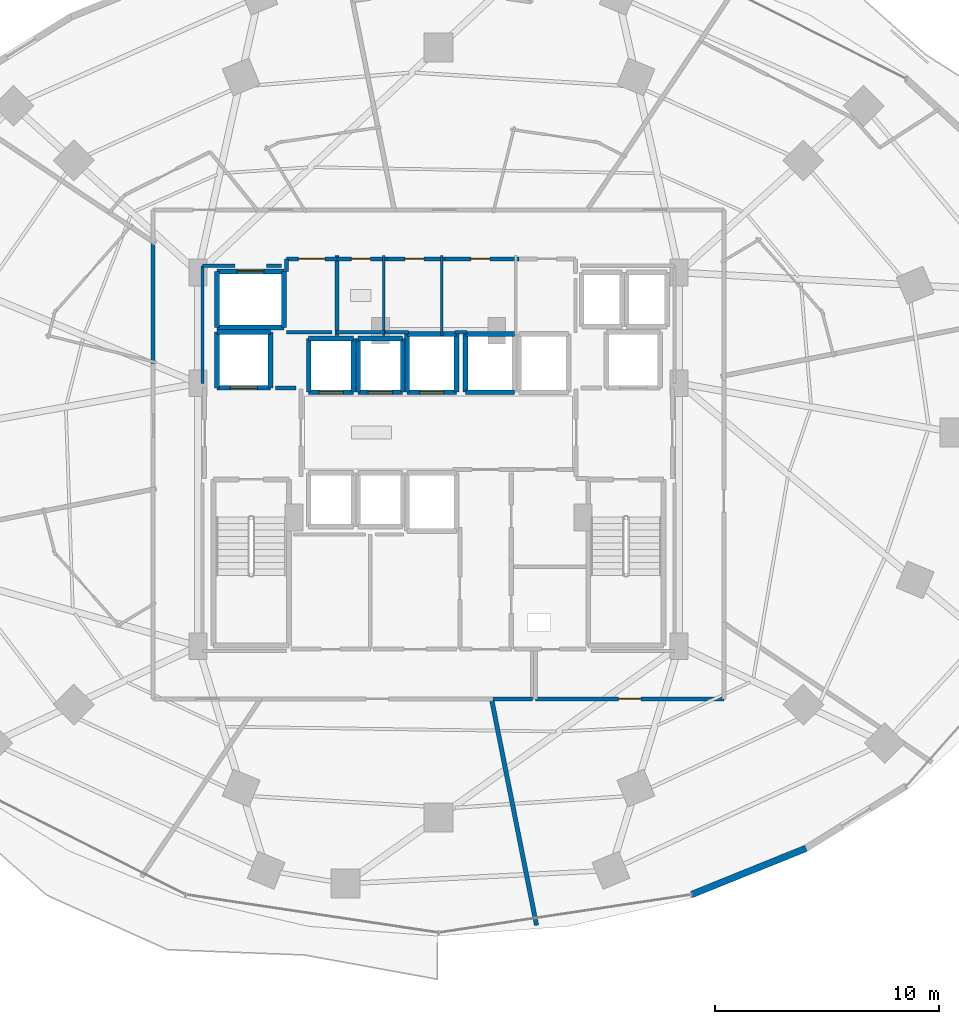
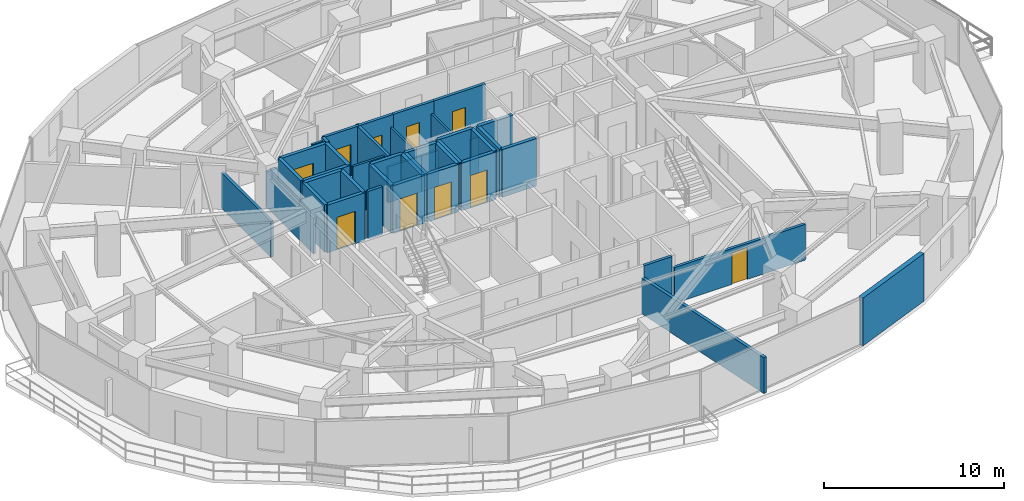
# One storey, part 24 of 30: 44 walls, 10 doors, 10 openings.
"""IFC4 building model written with IfcOpenShell, lengths in metres."""

from ifc_helpers import new_model, si_unit, direction, frame, frame_2d, origin, place, context, subcontext, project, spatial, rectangle, extrude, material, layer, layer_set, type_object, element, fill, save


model = new_model("IFC4")

# Units and contexts
model_context = context("Model", 3, precision=1e-05, world=origin(), true_north=direction((0.0, 1.0)))
body_context = subcontext(model_context, "Body", "Model", "MODEL_VIEW")
ifc_project = project(units=[si_unit("LENGTHUNIT", "METRE"), si_unit("AREAUNIT", "SQUARE_METRE"), si_unit("VOLUMEUNIT", "CUBIC_METRE"), si_unit("PLANEANGLEUNIT", "RADIAN"), si_unit("MASSUNIT", "GRAM", prefix="KILO")], contexts=[model_context])

# Site, building, storey
site_placement = place(None, origin())
site = spatial("IfcSite", under=ifc_project, at=site_placement, CompositionType="ELEMENT")
building_placement = place(site_placement, origin())
building = spatial("IfcBuilding", under=site, at=building_placement, Name="Vorneva Point Tower", CompositionType="ELEMENT")
storey_placement = place(building_placement, frame((0.0, 0.0, 41.5)))
storey = spatial("IfcBuildingStorey", under=building, at=storey_placement, Name="L10", CompositionType="ELEMENT", Elevation=41.5)

# Wall, opening, door
ifc_material_1 = material(Name="Concrete B60 (C50/60)", Category="concrete")
ifc_layer_1 = layer(ifc_material_1, 0.5)
ifc_layer_set_1 = layer_set([ifc_layer_1], Name="Concrete B60 (C50/60)")
wall_type_1 = type_object("IfcWallType", Name="WL-CORE-500", PredefinedType="SHEAR", material=ifc_layer_set_1)
wall_1_placement = place(storey_placement, frame((28.10009765625, 28.0, 0.0), z_axis=(0.0, 0.0, 1.0), x_axis=(1.0, 0.0, 0.0)))
wall_1 = element("IfcWall", 1, at=wall_1_placement, inside=storey, type_object=wall_type_1, Name="L10 Lift FFL1 Shaft Wall -Y", PredefinedType="SHEAR", context=body_context, shape_type="SweptSolid", body=[
    extrude(rectangle(XDim=2.39990234375, YDim=0.219970703125, at=frame_2d((1.199951171875, 0.0))), origin(), (0.0, 0.0, 1.0), 3.239990234375),
])
opening_1_placement = place(wall_1_placement, frame((0.60009765625, 0.0, 0.0)))
opening_1 = element("IfcOpeningElement", 2, at=opening_1_placement, cuts=wall_1, Name="Opening LD-02", PredefinedType="OPENING", context=body_context, shape_type="SweptSolid", body=[
    extrude(rectangle(XDim=1.199951171875, YDim=2.199951171875, at=frame_2d((0.60009765625, 1.10009765625))), frame((0.0, 0.125, 0.0), z_axis=(0.0, -1.0, 0.0), x_axis=(1.0, 0.0, 0.0)), (0.0, 0.0, 1.0), 0.249755859375),
])
ifc_material_2 = material(Name="Brushed stainless steel S304", Category="steel")
door_type_1 = type_object("IfcDoorType", Name="LD-FIRE-1200", OperationType="SLIDING_TO_LEFT", PredefinedType="DOOR", material=ifc_material_2)
door_1_placement = place(opening_1_placement, origin())
door_1 = element("IfcDoor", 3, at=door_1_placement, inside=storey, type_object=door_type_1, Name="L10 Lift FFL1 Sliding Landing Door", OperationType="SLIDING_TO_LEFT", OverallHeight=2.199951171875, OverallWidth=1.199951171875, PredefinedType="DOOR", context=body_context, shape_type="SweptSolid", body=[
    extrude(rectangle(XDim=1.199951171875, YDim=2.199951171875, at=frame_2d((0.60009765625, 1.10009765625))), frame((0.0, 0.02490234375, 0.0), z_axis=(0.0, -1.0, 0.0), x_axis=(1.0, 0.0, 0.0)), (0.0, 0.0, 1.0), 0.050048828125),
])
fill(opening_1, door_1)

# Walls
wall_2_placement = place(storey_placement, frame((30.5, 28.0, 0.0), z_axis=(0.0, 0.0, 1.0), x_axis=(0.0, 1.0, 0.0)))
element("IfcWall", 4, at=wall_2_placement, inside=storey, type_object=wall_type_1, Name="L10 Lift FFL1 Shaft Wall +X", PredefinedType="SHEAR", context=body_context, shape_type="SweptSolid", body=[
    extrude(rectangle(XDim=2.5, YDim=0.219970703125, at=frame_2d((1.25, 0.0))), origin(), (0.0, 0.0, 1.0), 3.239990234375),
])
wall_3_placement = place(storey_placement, frame((30.5, 30.5, 0.0), z_axis=(0.0, 0.0, 1.0), x_axis=(-1.0, 0.0, 0.0)))
element("IfcWall", 5, at=wall_3_placement, inside=storey, type_object=wall_type_1, Name="L10 Lift FFL1 Shaft Wall +Y", PredefinedType="SHEAR", context=body_context, shape_type="SweptSolid", body=[
    extrude(rectangle(XDim=2.39990234375, YDim=0.219970703125, at=frame_2d((1.199951171875, 0.0))), origin(), (0.0, 0.0, 1.0), 3.239990234375),
])
wall_4_placement = place(storey_placement, frame((28.10009765625, 30.5, 0.0), z_axis=(0.0, 0.0, 1.0), x_axis=(0.0, -1.0, 0.0)))
element("IfcWall", 6, at=wall_4_placement, inside=storey, type_object=wall_type_1, Name="L10 Lift FFL1 Shaft Wall -X", PredefinedType="SHEAR", context=body_context, shape_type="SweptSolid", body=[
    extrude(rectangle(XDim=2.5, YDim=0.219970703125, at=frame_2d((1.25, 0.0))), origin(), (0.0, 0.0, 1.0), 3.239990234375),
])
ifc_material_3 = material(Name="Precast concrete B50 (C40/50)", Category="concrete")
ifc_layer_2 = layer(ifc_material_3, 0.300048828125)
ifc_layer_set_2 = layer_set([ifc_layer_2], Name="Precast concrete B50 (C40/50)")
wall_type_2 = type_object("IfcWallType", Name="WL-EXT-300", PredefinedType="STANDARD", material=ifc_layer_set_2)
wall_5_placement = place(storey_placement, frame((49.308349609375, 5.351318359375, 0.0), z_axis=(0.0, 0.0, 1.0), x_axis=(0.927095325176, 0.374825636845, 0.0)))
element("IfcWall", 7, at=wall_5_placement, inside=storey, type_object=wall_type_2, Name="L10 Pale-Metal Facade Spandrel Wall 14.1", PredefinedType="STANDARD", context=body_context, shape_type="SweptSolid", body=[
    extrude(rectangle(XDim=5.51025390625, YDim=0.300048828125, at=frame_2d((2.755126953125, 0.0))), origin(), (0.0, 0.0, 1.0), 3.239990234375),
])
ifc_material_4 = material(Name="Fire-rated acoustic gypsum stud partition", Category="gypsum")
ifc_layer_3 = layer(ifc_material_4, 0.110107421875)
ifc_layer_set_3 = layer_set([ifc_layer_3], Name="Fire-rated acoustic gypsum stud partition")
wall_type_3 = type_object("IfcWallType", Name="WL-PART-110", PredefinedType="PARTITIONING", material=ifc_layer_set_3)
for number, where, z_axis, x_axis, name in (
    (8, (35.550048828125, 30.340087890625, 0.0), (0.0, 0.0, 1.0), (0.0, 1.0, 0.0), "L10 Interior Partition 017"),
    (9, (38.14990234375, 30.340087890625, 0.0), (0.0, 0.0, 1.0), (0.0, 1.0, 0.0), "L10 Interior Partition 019"),
):
    element("IfcWall", number, at=place(storey_placement, frame(where, z_axis=z_axis, x_axis=x_axis)), inside=storey, type_object=wall_type_3, Name=name, PredefinedType="PARTITIONING", context=body_context, shape_type="SweptSolid", body=[
        extrude(rectangle(XDim=3.559814453125, YDim=0.110107421875, at=frame_2d((1.77978515625, 0.0))), origin(), (0.0, 0.0, 1.0), 2.431884765625),
    ])
ifc_layer_4 = layer(ifc_material_4, 0.139892578125)
ifc_layer_set_4 = layer_set([ifc_layer_4], Name="Fire-rated acoustic gypsum stud partition")
wall_type_4 = type_object("IfcWallType", Name="WL-PART-140", PredefinedType="PARTITIONING", material=ifc_layer_set_4)
wall_6_placement = place(storey_placement, frame((31.199951171875, 30.47998046875, 0.0), z_axis=(0.0, 0.0, 1.0), x_axis=(1.0, 0.0, 0.0)))
element("IfcWall", 10, at=wall_6_placement, inside=storey, type_object=wall_type_4, Name="L10 Interior Closure Partition 094", PredefinedType="PARTITIONING", context=body_context, shape_type="SweptSolid", body=[
    extrude(rectangle(XDim=2.050048828125, YDim=0.139892578125, at=frame_2d((1.02490234375, 0.0))), origin(), (0.0, 0.0, 1.0), 3.239990234375),
])
wall_7_placement = place(storey_placement, frame((33.43994140625, 30.47998046875, 0.0), z_axis=(0.0, 0.0, 1.0), x_axis=(1.0, 0.0, 0.0)))
element("IfcWall", 11, at=wall_7_placement, inside=storey, type_object=wall_type_4, Name="L10 Interior Closure Partition 095", PredefinedType="PARTITIONING", context=body_context, shape_type="SweptSolid", body=[
    extrude(rectangle(XDim=2.14013671875, YDim=0.139892578125, at=frame_2d((1.070068359375, 0.0))), origin(), (0.0, 0.0, 1.0), 2.431884765625),
])
wall_8_placement = place(storey_placement, frame((35.60009765625, 30.47998046875, 0.0), z_axis=(0.0, 0.0, 1.0), x_axis=(1.0, 0.0, 0.0)))
element("IfcWall", 12, at=wall_8_placement, inside=storey, type_object=wall_type_4, Name="L10 Interior Closure Partition 096", PredefinedType="PARTITIONING", context=body_context, shape_type="SweptSolid", body=[
    extrude(rectangle(XDim=1.06494140625, YDim=0.139892578125, at=frame_2d((0.532470703125, 0.0))), origin(), (0.0, 0.0, 1.0), 2.431884765625),
])
wall_9_placement = place(storey_placement, frame((38.735107421875, 30.47998046875, 0.0), z_axis=(0.0, 0.0, 1.0), x_axis=(1.0, 0.0, 0.0)))
element("IfcWall", 13, at=wall_9_placement, inside=storey, type_object=wall_type_4, Name="L10 Interior Closure Partition 097", PredefinedType="PARTITIONING", context=body_context, shape_type="SweptSolid", body=[
    extrude(rectangle(XDim=0.52978515625, YDim=0.139892578125, at=frame_2d((0.264892578125, 0.0))), origin(), (0.0, 0.0, 1.0), 2.431884765625),
])
wall_10_placement = place(storey_placement, frame((27.449951171875, 28.196044921875, 0.0), z_axis=(0.0, 0.0, 1.0), x_axis=(0.0, 1.0, 0.0)))
element("IfcWall", 14, at=wall_10_placement, inside=storey, type_object=wall_type_4, Name="L10 Interior Closure Partition 107", PredefinedType="PARTITIONING", context=body_context, shape_type="SweptSolid", body=[
    extrude(rectangle(XDim=5.25390625, YDim=0.139892578125, at=frame_2d((2.626953125, 0.0))), origin(), (0.0, 0.0, 1.0), 2.431884765625),
])
wall_11_placement = place(storey_placement, frame((27.449951171875, 33.449951171875, 0.0), z_axis=(0.0, 0.0, 1.0), x_axis=(1.0, 0.0, 0.0)))
element("IfcWall", 15, at=wall_11_placement, inside=storey, type_object=wall_type_4, Name="L10 Interior Closure Partition 108", PredefinedType="PARTITIONING", context=body_context, shape_type="SweptSolid", body=[
    extrude(rectangle(XDim=1.444091796875, YDim=0.139892578125, at=frame_2d((0.72216796875, 0.0))), origin(), (0.0, 0.0, 1.0), 2.431884765625),
])
wall_12_placement = place(storey_placement, frame((30.305908203125, 33.449951171875, 0.0), z_axis=(0.0, 0.0, 1.0), x_axis=(1.0, 0.0, 0.0)))
element("IfcWall", 16, at=wall_12_placement, inside=storey, type_object=wall_type_4, Name="L10 Interior Closure Partition 109", PredefinedType="PARTITIONING", context=body_context, shape_type="SweptSolid", body=[
    extrude(rectangle(XDim=0.674072265625, YDim=0.139892578125, at=frame_2d((0.3369140625, 0.0))), origin(), (0.0, 0.0, 1.0), 3.239990234375),
])
ifc_material_5 = material(Name="Autoclaved aerated concrete blockwork", Category="masonry")
ifc_layer_5 = layer(ifc_material_5, 0.179931640625)
ifc_layer_set_5 = layer_set([ifc_layer_5], Name="Autoclaved aerated concrete blockwork")
wall_type_5 = type_object("IfcWallType", Name="WL-PART-180", PredefinedType="PARTITIONING", material=ifc_layer_set_5)
wall_13_placement = place(storey_placement, frame((33.469970703125, 30.340087890625, 0.0), z_axis=(0.0, 0.0, 1.0), x_axis=(0.0, 1.0, 0.0)))
element("IfcWall", 17, at=wall_13_placement, inside=storey, type_object=wall_type_5, Name="L10 Interior Partition 006", PredefinedType="PARTITIONING", context=body_context, shape_type="SweptSolid", body=[
    extrude(rectangle(XDim=3.559814453125, YDim=0.179931640625, at=frame_2d((1.77978515625, 0.0))), origin(), (0.0, 0.0, 1.0), 3.239990234375),
])

# Wall, opening, door
wall_14_placement = place(storey_placement, frame((33.469970703125, 33.760009765625, 0.0), z_axis=(0.0, 0.0, 1.0), x_axis=(-1.0, 0.0, 0.0)))
wall_14 = element("IfcWall", 18, at=wall_14_placement, inside=storey, type_object=wall_type_5, Name="L10 Interior Partition 007", PredefinedType="PARTITIONING", context=body_context, shape_type="SweptSolid", body=[
    extrude(rectangle(XDim=2.27001953125, YDim=0.179931640625, at=frame_2d((1.135009765625, 0.0))), origin(), (0.0, 0.0, 1.0), 3.239990234375),
])
opening_2_placement = place(wall_14_placement, frame((0.534912109375, 0.0, 0.0)))
opening_2 = element("IfcOpeningElement", 19, at=opening_2_placement, cuts=wall_14, Name="Opening FD-02", PredefinedType="OPENING", context=body_context, shape_type="SweptSolid", body=[
    extrude(rectangle(XDim=1.199951171875, YDim=2.14990234375, at=frame_2d((0.60009765625, 1.074951171875))), frame((0.0, 0.10498046875, 0.0), z_axis=(0.0, -1.0, 0.0), x_axis=(1.0, 0.0, 0.0)), (0.0, 0.0, 1.0), 0.209716796875),
])
ifc_material_6 = material(Name="Fire-rated powder-coated steel", Category="steel")
door_type_2 = type_object("IfcDoorType", Name="DR-FFL-1200", OperationType="NOTDEFINED", PredefinedType="DOOR", material=ifc_material_6)
door_2_placement = place(opening_2_placement, origin())
door_2 = element("IfcDoor", 20, at=door_2_placement, inside=storey, type_object=door_type_2, Name="L10 Door Service Lift Lobby / L10 Circulation Corridor", OperationType="SINGLE_SWING_RIGHT", OverallHeight=2.14990234375, OverallWidth=1.199951171875, PredefinedType="DOOR", context=body_context, shape_type="SweptSolid", body=[
    extrude(rectangle(XDim=1.199951171875, YDim=2.14990234375, at=frame_2d((0.60009765625, 1.074951171875))), frame((0.0, 0.02490234375, 0.0), z_axis=(0.0, -1.0, 0.0), x_axis=(1.0, 0.0, 0.0)), (0.0, 0.0, 1.0), 0.050048828125),
])
fill(opening_2, door_2)

# Wall
wall_15_placement = place(storey_placement, frame((31.199951171875, 33.760009765625, 0.0), z_axis=(0.0, 0.0, 1.0), x_axis=(0.0, -1.0, 0.0)))
element("IfcWall", 21, at=wall_15_placement, inside=storey, type_object=wall_type_5, Name="L10 Interior Partition 008", PredefinedType="PARTITIONING", context=body_context, shape_type="SweptSolid", body=[
    extrude(rectangle(XDim=0.56005859375, YDim=0.179931640625, at=frame_2d((0.280029296875, 0.0))), origin(), (0.0, 0.0, 1.0), 3.239990234375),
])

# Wall, opening, door
wall_16_placement = place(storey_placement, frame((35.68994140625, 33.760009765625, 0.0), z_axis=(0.0, 0.0, 1.0), x_axis=(-1.0, 0.0, 0.0)))
wall_16 = element("IfcWall", 22, at=wall_16_placement, inside=storey, type_object=wall_type_5, Name="L10 Interior Partition 018", PredefinedType="PARTITIONING", context=body_context, shape_type="SweptSolid", body=[
    extrude(rectangle(XDim=2.329833984375, YDim=0.179931640625, at=frame_2d((1.1650390625, 0.0))), origin(), (0.0, 0.0, 1.0), 3.239990234375),
])
opening_3_placement = place(wall_16_placement, frame((0.739990234375, 0.0, 0.0)))
opening_3 = element("IfcOpeningElement", 23, at=opening_3_placement, cuts=wall_16, Name="Opening ID-02", PredefinedType="OPENING", context=body_context, shape_type="SweptSolid", body=[
    extrude(rectangle(XDim=0.85009765625, YDim=2.10009765625, at=frame_2d((0.425048828125, 1.050048828125))), frame((0.0, 0.10498046875, 0.0), z_axis=(0.0, -1.0, 0.0), x_axis=(1.0, 0.0, 0.0)), (0.0, 0.0, 1.0), 0.209716796875),
])
ifc_material_7 = material(Name="Engineered oak fire-rated door leaf", Category="wood")
door_type_3 = type_object("IfcDoorType", Name="DR-BATH-850", OperationType="NOTDEFINED", PredefinedType="DOOR", material=ifc_material_7)
door_3_placement = place(opening_3_placement, origin())
door_3 = element("IfcDoor", 24, at=door_3_placement, inside=storey, type_object=door_type_3, Name="L10 Door Accessible WC / L10 Circulation Corridor", OperationType="SINGLE_SWING_RIGHT", OverallHeight=2.10009765625, OverallWidth=0.85009765625, PredefinedType="DOOR", context=body_context, shape_type="SweptSolid", body=[
    extrude(rectangle(XDim=0.85009765625, YDim=2.10009765625, at=frame_2d((0.425048828125, 1.050048828125))), frame((0.0, 0.02490234375, 0.0), z_axis=(0.0, -1.0, 0.0), x_axis=(1.0, 0.0, 0.0)), (0.0, 0.0, 1.0), 0.050048828125),
])
fill(opening_3, door_3)

wall_17_placement = place(storey_placement, frame((38.2900390625, 33.760009765625, 0.0), z_axis=(0.0, 0.0, 1.0), x_axis=(-1.0, 0.0, 0.0)))
wall_17 = element("IfcWall", 25, at=wall_17_placement, inside=storey, type_object=wall_type_5, Name="L10 Interior Partition 020", PredefinedType="PARTITIONING", context=body_context, shape_type="SweptSolid", body=[
    extrude(rectangle(XDim=2.739990234375, YDim=0.179931640625, at=frame_2d((1.3701171875, 0.0))), origin(), (0.0, 0.0, 1.0), 3.239990234375),
])
opening_4_placement = place(wall_17_placement, frame((0.945068359375, 0.0, 0.0)))
opening_4 = element("IfcOpeningElement", 26, at=opening_4_placement, cuts=wall_17, Name="Opening ID-02", PredefinedType="OPENING", context=body_context, shape_type="SweptSolid", body=[
    extrude(rectangle(XDim=0.85009765625, YDim=2.10009765625, at=frame_2d((0.425048828125, 1.050048828125))), frame((0.0, 0.10498046875, 0.0), z_axis=(0.0, -1.0, 0.0), x_axis=(1.0, 0.0, 0.0)), (0.0, 0.0, 1.0), 0.209716796875),
])
door_4_placement = place(opening_4_placement, origin())
door_4 = element("IfcDoor", 27, at=door_4_placement, inside=storey, type_object=door_type_3, Name="L10 Door Public Male WC / L10 Circulation Corridor", OperationType="SINGLE_SWING_LEFT", OverallHeight=2.10009765625, OverallWidth=0.85009765625, PredefinedType="DOOR", context=body_context, shape_type="SweptSolid", body=[
    extrude(rectangle(XDim=0.85009765625, YDim=2.10009765625, at=frame_2d((0.425048828125, 1.050048828125))), frame((0.0, 0.02490234375, 0.0), z_axis=(0.0, -1.0, 0.0), x_axis=(1.0, 0.0, 0.0)), (0.0, 0.0, 1.0), 0.050048828125),
])
fill(opening_4, door_4)

wall_18_placement = place(storey_placement, frame((41.590087890625, 33.760009765625, 0.0), z_axis=(0.0, 0.0, 1.0), x_axis=(-1.0, 0.0, 0.0)))
wall_18 = element("IfcWall", 28, at=wall_18_placement, inside=storey, type_object=wall_type_5, Name="L10 Interior Partition 022", PredefinedType="PARTITIONING", context=body_context, shape_type="SweptSolid", body=[
    extrude(rectangle(XDim=3.440185546875, YDim=0.179931640625, at=frame_2d((1.72021484375, 0.0))), origin(), (0.0, 0.0, 1.0), 3.239990234375),
])
opening_5_placement = place(wall_18_placement, frame((1.294921875, 0.0, 0.0)))
opening_5 = element("IfcOpeningElement", 29, at=opening_5_placement, cuts=wall_18, Name="Opening ID-02", PredefinedType="OPENING", context=body_context, shape_type="SweptSolid", body=[
    extrude(rectangle(XDim=0.85009765625, YDim=2.10009765625, at=frame_2d((0.425048828125, 1.050048828125))), frame((0.0, 0.10498046875, 0.0), z_axis=(0.0, -1.0, 0.0), x_axis=(1.0, 0.0, 0.0)), (0.0, 0.0, 1.0), 0.209716796875),
])
door_5_placement = place(opening_5_placement, origin())
door_5 = element("IfcDoor", 30, at=door_5_placement, inside=storey, type_object=door_type_3, Name="L10 Door Public Female WC / L10 Circulation Corridor", OperationType="SINGLE_SWING_RIGHT", OverallHeight=2.10009765625, OverallWidth=0.85009765625, PredefinedType="DOOR", context=body_context, shape_type="SweptSolid", body=[
    extrude(rectangle(XDim=0.85009765625, YDim=2.10009765625, at=frame_2d((0.425048828125, 1.050048828125))), frame((0.0, 0.02490234375, 0.0), z_axis=(0.0, -1.0, 0.0), x_axis=(1.0, 0.0, 0.0)), (0.0, 0.0, 1.0), 0.050048828125),
])
fill(opening_5, door_5)

# Wall
wall_19_placement = place(storey_placement, frame((25.25, 34.59912109375, 0.0), z_axis=(0.0, 0.0, 1.0), x_axis=(0.0, -1.0, 0.0)))
element("IfcWall", 31, at=wall_19_placement, inside=storey, type_object=wall_type_5, Name="L10 Interior Partition 038", PredefinedType="PARTITIONING", context=body_context, shape_type="SweptSolid", body=[
    extrude(rectangle(XDim=5.510009765625, YDim=0.179931640625, at=frame_2d((2.7548828125, 0.0))), origin(), (0.0, 0.0, 1.0), 2.431884765625),
])

# Wall, opening, door
wall_20_placement = place(storey_placement, frame((42.340087890625, 14.10009765625, 0.0), z_axis=(0.0, 0.0, 1.0), x_axis=(1.0, 0.0, 0.0)))
wall_20 = element("IfcWall", 32, at=wall_20_placement, inside=storey, type_object=wall_type_5, Name="L10 Interior Partition 044", PredefinedType="PARTITIONING", context=body_context, shape_type="SweptSolid", body=[
    extrude(rectangle(XDim=8.409912109375, YDim=0.179931640625, at=frame_2d((4.205078125, 0.0))), origin(), (0.0, 0.0, 1.0), 2.431884765625),
])
opening_6_placement = place(wall_20_placement, frame((3.705078125, 0.0, 0.0)))
opening_6 = element("IfcOpeningElement", 33, at=opening_6_placement, cuts=wall_20, Name="Opening UD-01", PredefinedType="OPENING", context=body_context, shape_type="SweptSolid", body=[
    extrude(rectangle(XDim=1.0, YDim=2.14990234375, at=frame_2d((0.5, 1.074951171875))), frame((0.0, 0.10498046875, 0.0), z_axis=(0.0, -1.0, 0.0), x_axis=(1.0, 0.0, 0.0)), (0.0, 0.0, 1.0), 0.209716796875),
])
door_type_4 = type_object("IfcDoorType", Name="DR-UNIT-1000", OperationType="NOTDEFINED", PredefinedType="DOOR", material=ifc_material_7)
door_6_placement = place(opening_6_placement, origin())
door_6 = element("IfcDoor", 34, at=door_6_placement, inside=storey, type_object=door_type_4, Name="L10 Door L10 Circulation Corridor / Executive Meeting Room L10-07", OperationType="SINGLE_SWING_LEFT", OverallHeight=2.14990234375, OverallWidth=1.0, PredefinedType="DOOR", context=body_context, shape_type="SweptSolid", body=[
    extrude(rectangle(XDim=1.0, YDim=2.14990234375, at=frame_2d((0.5, 1.074951171875))), frame((0.0, 0.02490234375, 0.0), z_axis=(0.0, -1.0, 0.0), x_axis=(1.0, 0.0, 0.0)), (0.0, 0.0, 1.0), 0.050048828125),
])
fill(opening_6, door_6)

# Walls
wall_21_placement = place(storey_placement, frame((40.427978515625, 14.10009765625, 0.0), z_axis=(0.0, 0.0, 1.0), x_axis=(1.0, 0.0, 0.0)))
element("IfcWall", 35, at=wall_21_placement, inside=storey, type_object=wall_type_5, Name="L10 Interior Partition 046", PredefinedType="PARTITIONING", context=body_context, shape_type="SweptSolid", body=[
    extrude(rectangle(XDim=1.77197265625, YDim=0.179931640625, at=frame_2d((0.885986328125, 0.0))), origin(), (0.0, 0.0, 1.0), 3.239990234375),
])
wall_22_placement = place(storey_placement, frame((31.635009765625, 28.0, 0.0), z_axis=(0.0, 0.0, 1.0), x_axis=(-1.0, 0.0, 0.0)))
element("IfcWall", 36, at=wall_22_placement, inside=storey, type_object=wall_type_5, Name="L10 Interior Closure Partition 092", PredefinedType="PARTITIONING", context=body_context, shape_type="SweptSolid", body=[
    extrude(rectangle(XDim=0.9150390625, YDim=0.179931640625, at=frame_2d((0.45751953125, 0.0))), origin(), (0.0, 0.0, 1.0), 3.239990234375),
])
ifc_layer_6 = layer(ifc_material_5, 0.199951171875)
ifc_layer_set_6 = layer_set([ifc_layer_6], Name="Autoclaved aerated concrete blockwork")
wall_type_6 = type_object("IfcWallType", Name="WL-PART-200", PredefinedType="PARTITIONING", material=ifc_layer_set_6)
wall_23_placement = place(storey_placement, frame((42.381103515625, 3.97705078125, 0.0), z_axis=(0.0, 0.0, 1.0), x_axis=(-0.195142599893, 0.980774880239, 0.0)))
element("IfcWall", 37, at=wall_23_placement, inside=storey, type_object=wall_type_6, Name="L10 Interior Partition 090", PredefinedType="PARTITIONING", context=body_context, shape_type="SweptSolid", body=[
    extrude(rectangle(XDim=10.321533203125, YDim=0.199951171875, at=frame_2d((5.16064453125, 0.0))), origin(), (0.0, 0.0, 1.0), 2.431884765625),
])

# Wall, opening, door
ifc_material_8 = material(Name="Concrete B50 (C40/50)", Category="concrete")
ifc_layer_7 = layer(ifc_material_8, 0.219970703125)
ifc_layer_set_7 = layer_set([ifc_layer_7], Name="Concrete B50 (C40/50)")
wall_type_7 = type_object("IfcWallType", Name="WL-SHFT-220", PredefinedType="SOLIDWALL", material=ifc_layer_set_7)
wall_24_placement = place(storey_placement, frame((32.199951171875, 27.800048828125, 0.0), z_axis=(0.0, 0.0, 1.0), x_axis=(1.0, 0.0, 0.0)))
wall_24 = element("IfcWall", 38, at=wall_24_placement, inside=storey, type_object=wall_type_7, Name="L10 Lift PL1 Shaft Wall -Y", PredefinedType="SOLIDWALL", context=body_context, shape_type="SweptSolid", body=[
    extrude(rectangle(XDim=2.0, YDim=0.219970703125, at=frame_2d((1.0, 0.0))), origin(), (0.0, 0.0, 1.0), 3.239990234375),
])
opening_7_placement = place(wall_24_placement, frame((0.449951171875, 0.0, 0.0)))
opening_7 = element("IfcOpeningElement", 39, at=opening_7_placement, cuts=wall_24, Name="Opening LD-01", PredefinedType="OPENING", context=body_context, shape_type="SweptSolid", body=[
    extrude(rectangle(XDim=1.10009765625, YDim=2.199951171875, at=frame_2d((0.550048828125, 1.10009765625))), frame((0.0, 0.125, 0.0), z_axis=(0.0, -1.0, 0.0), x_axis=(1.0, 0.0, 0.0)), (0.0, 0.0, 1.0), 0.249755859375),
])
door_type_5 = type_object("IfcDoorType", Name="LD-PASS-1100", OperationType="SLIDING_TO_LEFT", PredefinedType="DOOR", material=ifc_material_2)
door_7_placement = place(opening_7_placement, origin())
door_7 = element("IfcDoor", 40, at=door_7_placement, inside=storey, type_object=door_type_5, Name="L10 Lift PL1 Sliding Landing Door", OperationType="SLIDING_TO_LEFT", OverallHeight=2.199951171875, OverallWidth=1.10009765625, PredefinedType="DOOR", context=body_context, shape_type="SweptSolid", body=[
    extrude(rectangle(XDim=1.10009765625, YDim=2.199951171875, at=frame_2d((0.550048828125, 1.10009765625))), frame((0.0, 0.02490234375, 0.0), z_axis=(0.0, -1.0, 0.0), x_axis=(1.0, 0.0, 0.0)), (0.0, 0.0, 1.0), 0.050048828125),
])
fill(opening_7, door_7)

# Walls
wall_25_placement = place(storey_placement, frame((34.199951171875, 27.800048828125, 0.0), z_axis=(0.0, 0.0, 1.0), x_axis=(0.0, 1.0, 0.0)))
element("IfcWall", 41, at=wall_25_placement, inside=storey, type_object=wall_type_7, Name="L10 Lift PL1 Shaft Wall +X", PredefinedType="SOLIDWALL", context=body_context, shape_type="SweptSolid", body=[
    extrude(rectangle(XDim=2.39990234375, YDim=0.219970703125, at=frame_2d((1.199951171875, 0.0))), origin(), (0.0, 0.0, 1.0), 3.239990234375),
])
wall_26_placement = place(storey_placement, frame((34.199951171875, 30.199951171875, 0.0), z_axis=(0.0, 0.0, 1.0), x_axis=(-1.0, 0.0, 0.0)))
element("IfcWall", 42, at=wall_26_placement, inside=storey, type_object=wall_type_7, Name="L10 Lift PL1 Shaft Wall +Y", PredefinedType="SOLIDWALL", context=body_context, shape_type="SweptSolid", body=[
    extrude(rectangle(XDim=2.0, YDim=0.219970703125, at=frame_2d((1.0, 0.0))), origin(), (0.0, 0.0, 1.0), 3.239990234375),
])
wall_27_placement = place(storey_placement, frame((32.199951171875, 30.199951171875, 0.0), z_axis=(0.0, 0.0, 1.0), x_axis=(0.0, -1.0, 0.0)))
element("IfcWall", 43, at=wall_27_placement, inside=storey, type_object=wall_type_7, Name="L10 Lift PL1 Shaft Wall -X", PredefinedType="SOLIDWALL", context=body_context, shape_type="SweptSolid", body=[
    extrude(rectangle(XDim=2.39990234375, YDim=0.219970703125, at=frame_2d((1.199951171875, 0.0))), origin(), (0.0, 0.0, 1.0), 3.239990234375),
])

# Wall, opening, door
wall_28_placement = place(storey_placement, frame((34.39990234375, 27.800048828125, 0.0), z_axis=(0.0, 0.0, 1.0), x_axis=(1.0, 0.0, 0.0)))
wall_28 = element("IfcWall", 44, at=wall_28_placement, inside=storey, type_object=wall_type_7, Name="L10 Lift PL2 Shaft Wall -Y", PredefinedType="SOLIDWALL", context=body_context, shape_type="SweptSolid", body=[
    extrude(rectangle(XDim=2.0, YDim=0.219970703125, at=frame_2d((1.0, 0.0))), origin(), (0.0, 0.0, 1.0), 3.239990234375),
])
opening_8_placement = place(wall_28_placement, frame((0.449951171875, 0.0, 0.0)))
opening_8 = element("IfcOpeningElement", 45, at=opening_8_placement, cuts=wall_28, Name="Opening LD-01", PredefinedType="OPENING", context=body_context, shape_type="SweptSolid", body=[
    extrude(rectangle(XDim=1.10009765625, YDim=2.199951171875, at=frame_2d((0.550048828125, 1.10009765625))), frame((0.0, 0.125, 0.0), z_axis=(0.0, -1.0, 0.0), x_axis=(1.0, 0.0, 0.0)), (0.0, 0.0, 1.0), 0.249755859375),
])
door_8_placement = place(opening_8_placement, origin())
door_8 = element("IfcDoor", 46, at=door_8_placement, inside=storey, type_object=door_type_5, Name="L10 Lift PL2 Sliding Landing Door", OperationType="SLIDING_TO_LEFT", OverallHeight=2.199951171875, OverallWidth=1.10009765625, PredefinedType="DOOR", context=body_context, shape_type="SweptSolid", body=[
    extrude(rectangle(XDim=1.10009765625, YDim=2.199951171875, at=frame_2d((0.550048828125, 1.10009765625))), frame((0.0, 0.02490234375, 0.0), z_axis=(0.0, -1.0, 0.0), x_axis=(1.0, 0.0, 0.0)), (0.0, 0.0, 1.0), 0.050048828125),
])
fill(opening_8, door_8)

# Walls
wall_29_placement = place(storey_placement, frame((36.39990234375, 27.800048828125, 0.0), z_axis=(0.0, 0.0, 1.0), x_axis=(0.0, 1.0, 0.0)))
element("IfcWall", 47, at=wall_29_placement, inside=storey, type_object=wall_type_7, Name="L10 Lift PL2 Shaft Wall +X", PredefinedType="SOLIDWALL", context=body_context, shape_type="SweptSolid", body=[
    extrude(rectangle(XDim=2.39990234375, YDim=0.219970703125, at=frame_2d((1.199951171875, 0.0))), origin(), (0.0, 0.0, 1.0), 3.239990234375),
])
wall_30_placement = place(storey_placement, frame((36.39990234375, 30.199951171875, 0.0), z_axis=(0.0, 0.0, 1.0), x_axis=(-1.0, 0.0, 0.0)))
element("IfcWall", 48, at=wall_30_placement, inside=storey, type_object=wall_type_7, Name="L10 Lift PL2 Shaft Wall +Y", PredefinedType="SOLIDWALL", context=body_context, shape_type="SweptSolid", body=[
    extrude(rectangle(XDim=2.0, YDim=0.219970703125, at=frame_2d((1.0, 0.0))), origin(), (0.0, 0.0, 1.0), 3.239990234375),
])
wall_31_placement = place(storey_placement, frame((34.39990234375, 30.199951171875, 0.0), z_axis=(0.0, 0.0, 1.0), x_axis=(0.0, -1.0, 0.0)))
element("IfcWall", 49, at=wall_31_placement, inside=storey, type_object=wall_type_7, Name="L10 Lift PL2 Shaft Wall -X", PredefinedType="SOLIDWALL", context=body_context, shape_type="SweptSolid", body=[
    extrude(rectangle(XDim=2.39990234375, YDim=0.219970703125, at=frame_2d((1.199951171875, 0.0))), origin(), (0.0, 0.0, 1.0), 3.239990234375),
])

# Wall, opening, door
wall_32_placement = place(storey_placement, frame((36.60009765625, 27.800048828125, 0.0), z_axis=(0.0, 0.0, 1.0), x_axis=(1.0, 0.0, 0.0)))
wall_32 = element("IfcWall", 50, at=wall_32_placement, inside=storey, type_object=wall_type_7, Name="L10 Lift PL3 Shaft Wall -Y", PredefinedType="SOLIDWALL", context=body_context, shape_type="SweptSolid", body=[
    extrude(rectangle(XDim=2.199951171875, YDim=0.219970703125, at=frame_2d((1.10009765625, 0.0))), origin(), (0.0, 0.0, 1.0), 3.239990234375),
])
opening_9_placement = place(wall_32_placement, frame((0.550048828125, 0.0, 0.0)))
opening_9 = element("IfcOpeningElement", 51, at=opening_9_placement, cuts=wall_32, Name="Opening LD-01", PredefinedType="OPENING", context=body_context, shape_type="SweptSolid", body=[
    extrude(rectangle(XDim=1.10009765625, YDim=2.199951171875, at=frame_2d((0.550048828125, 1.10009765625))), frame((0.0, 0.125, 0.0), z_axis=(0.0, -1.0, 0.0), x_axis=(1.0, 0.0, 0.0)), (0.0, 0.0, 1.0), 0.249755859375),
])
door_9_placement = place(opening_9_placement, origin())
door_9 = element("IfcDoor", 52, at=door_9_placement, inside=storey, type_object=door_type_5, Name="L10 Lift PL3 Sliding Landing Door", OperationType="SLIDING_TO_LEFT", OverallHeight=2.199951171875, OverallWidth=1.10009765625, PredefinedType="DOOR", context=body_context, shape_type="SweptSolid", body=[
    extrude(rectangle(XDim=1.10009765625, YDim=2.199951171875, at=frame_2d((0.550048828125, 1.10009765625))), frame((0.0, 0.02490234375, 0.0), z_axis=(0.0, -1.0, 0.0), x_axis=(1.0, 0.0, 0.0)), (0.0, 0.0, 1.0), 0.050048828125),
])
fill(opening_9, door_9)

# Walls
wall_33_placement = place(storey_placement, frame((38.800048828125, 27.800048828125, 0.0), z_axis=(0.0, 0.0, 1.0), x_axis=(0.0, 1.0, 0.0)))
element("IfcWall", 53, at=wall_33_placement, inside=storey, type_object=wall_type_7, Name="L10 Lift PL3 Shaft Wall +X", PredefinedType="SOLIDWALL", context=body_context, shape_type="SweptSolid", body=[
    extrude(rectangle(XDim=2.599853515625, YDim=0.219970703125, at=frame_2d((1.2998046875, 0.0))), origin(), (0.0, 0.0, 1.0), 3.239990234375),
])
wall_34_placement = place(storey_placement, frame((38.800048828125, 30.39990234375, 0.0), z_axis=(0.0, 0.0, 1.0), x_axis=(-1.0, 0.0, 0.0)))
element("IfcWall", 54, at=wall_34_placement, inside=storey, type_object=wall_type_7, Name="L10 Lift PL3 Shaft Wall +Y", PredefinedType="SOLIDWALL", context=body_context, shape_type="SweptSolid", body=[
    extrude(rectangle(XDim=2.199951171875, YDim=0.219970703125, at=frame_2d((1.10009765625, 0.0))), origin(), (0.0, 0.0, 1.0), 3.239990234375),
])
wall_35_placement = place(storey_placement, frame((36.60009765625, 30.39990234375, 0.0), z_axis=(0.0, 0.0, 1.0), x_axis=(0.0, -1.0, 0.0)))
element("IfcWall", 55, at=wall_35_placement, inside=storey, type_object=wall_type_7, Name="L10 Lift PL3 Shaft Wall -X", PredefinedType="SOLIDWALL", context=body_context, shape_type="SweptSolid", body=[
    extrude(rectangle(XDim=2.599853515625, YDim=0.219970703125, at=frame_2d((1.2998046875, 0.0))), origin(), (0.0, 0.0, 1.0), 3.239990234375),
])
for number, where, z_axis, x_axis, name in (
    (56, (39.199951171875, 27.800048828125, 0.0), (0.0, 0.0, 1.0), (1.0, 0.0, 0.0), "L10 Lift PL7 Shaft Wall -Y"),
    (57, (41.39990234375, 30.39990234375, 0.0), (0.0, 0.0, 1.0), (-1.0, 0.0, 0.0), "L10 Lift PL7 Shaft Wall +Y"),
):
    element("IfcWall", number, at=place(storey_placement, frame(where, z_axis=z_axis, x_axis=x_axis)), inside=storey, type_object=wall_type_7, Name=name, PredefinedType="SOLIDWALL", context=body_context, shape_type="SweptSolid", body=[
        extrude(rectangle(XDim=2.199951171875, YDim=0.219970703125, at=frame_2d((1.10009765625, 0.0))), origin(), (0.0, 0.0, 1.0), 3.239990234375),
    ])
wall_36_placement = place(storey_placement, frame((39.199951171875, 30.39990234375, 0.0), z_axis=(0.0, 0.0, 1.0), x_axis=(0.0, -1.0, 0.0)))
element("IfcWall", 58, at=wall_36_placement, inside=storey, type_object=wall_type_7, Name="L10 Lift PL7 Shaft Wall -X", PredefinedType="SOLIDWALL", context=body_context, shape_type="SweptSolid", body=[
    extrude(rectangle(XDim=2.599853515625, YDim=0.219970703125, at=frame_2d((1.2998046875, 0.0))), origin(), (0.0, 0.0, 1.0), 3.239990234375),
])
wall_37_placement = place(storey_placement, frame((28.10009765625, 30.699951171875, 0.0), z_axis=(0.0, 0.0, 1.0), x_axis=(1.0, 0.0, 0.0)))
element("IfcWall", 59, at=wall_37_placement, inside=storey, type_object=wall_type_7, Name="L10 Lift SVL1 Shaft Wall -Y", PredefinedType="SOLIDWALL", context=body_context, shape_type="SweptSolid", body=[
    extrude(rectangle(XDim=3.0, YDim=0.219970703125, at=frame_2d((1.5, 0.0))), origin(), (0.0, 0.0, 1.0), 3.239990234375),
])
wall_38_placement = place(storey_placement, frame((31.10009765625, 30.699951171875, 0.0), z_axis=(0.0, 0.0, 1.0), x_axis=(0.0, 1.0, 0.0)))
element("IfcWall", 60, at=wall_38_placement, inside=storey, type_object=wall_type_7, Name="L10 Lift SVL1 Shaft Wall +X", PredefinedType="SOLIDWALL", context=body_context, shape_type="SweptSolid", body=[
    extrude(rectangle(XDim=2.5, YDim=0.219970703125, at=frame_2d((1.25, 0.0))), origin(), (0.0, 0.0, 1.0), 3.239990234375),
])

# Wall, opening, door
wall_39_placement = place(storey_placement, frame((31.10009765625, 33.199951171875, 0.0), z_axis=(0.0, 0.0, 1.0), x_axis=(-1.0, 0.0, 0.0)))
wall_39 = element("IfcWall", 61, at=wall_39_placement, inside=storey, type_object=wall_type_7, Name="L10 Lift SVL1 Shaft Wall +Y", PredefinedType="SOLIDWALL", context=body_context, shape_type="SweptSolid", body=[
    extrude(rectangle(XDim=3.0, YDim=0.219970703125, at=frame_2d((1.5, 0.0))), origin(), (0.0, 0.0, 1.0), 3.239990234375),
])
opening_10_placement = place(wall_39_placement, frame((0.89990234375, 0.0, 0.0)))
opening_10 = element("IfcOpeningElement", 62, at=opening_10_placement, cuts=wall_39, Name="Opening LD-02", PredefinedType="OPENING", context=body_context, shape_type="SweptSolid", body=[
    extrude(rectangle(XDim=1.199951171875, YDim=2.199951171875, at=frame_2d((0.60009765625, 1.10009765625))), frame((0.0, 0.125, 0.0), z_axis=(0.0, -1.0, 0.0), x_axis=(1.0, 0.0, 0.0)), (0.0, 0.0, 1.0), 0.249755859375),
])
door_10_placement = place(opening_10_placement, origin())
door_10 = element("IfcDoor", 63, at=door_10_placement, inside=storey, type_object=door_type_1, Name="L10 Lift SVL1 Sliding Landing Door", OperationType="SLIDING_TO_LEFT", OverallHeight=2.199951171875, OverallWidth=1.199951171875, PredefinedType="DOOR", context=body_context, shape_type="SweptSolid", body=[
    extrude(rectangle(XDim=1.199951171875, YDim=2.199951171875, at=frame_2d((0.60009765625, 1.10009765625))), frame((0.0, 0.02490234375, 0.0), z_axis=(0.0, -1.0, 0.0), x_axis=(1.0, 0.0, 0.0)), (0.0, 0.0, 1.0), 0.050048828125),
])
fill(opening_10, door_10)

# Wall
wall_40_placement = place(storey_placement, frame((28.10009765625, 33.199951171875, 0.0), z_axis=(0.0, 0.0, 1.0), x_axis=(0.0, -1.0, 0.0)))
element("IfcWall", 64, at=wall_40_placement, inside=storey, type_object=wall_type_7, Name="L10 Lift SVL1 Shaft Wall -X", PredefinedType="SOLIDWALL", context=body_context, shape_type="SweptSolid", body=[
    extrude(rectangle(XDim=2.5, YDim=0.219970703125, at=frame_2d((1.25, 0.0))), origin(), (0.0, 0.0, 1.0), 3.239990234375),
])

save(model, "model.ifc")
